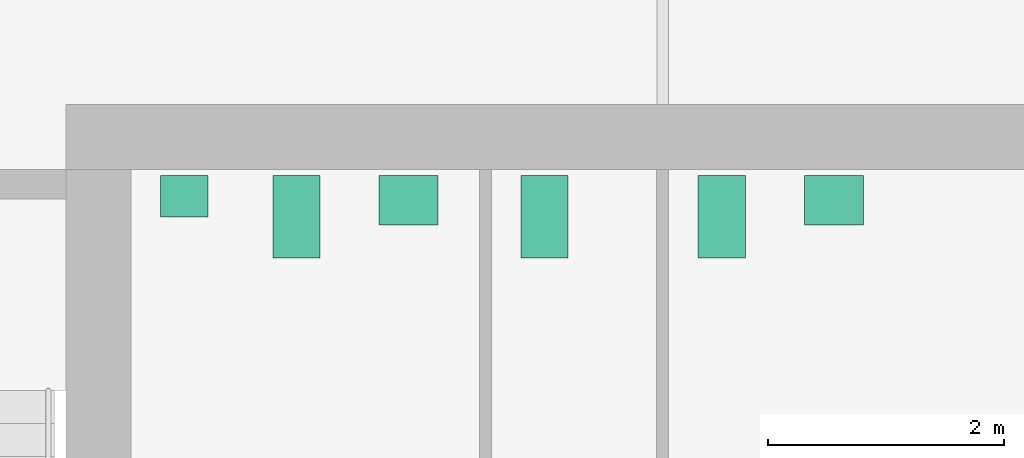
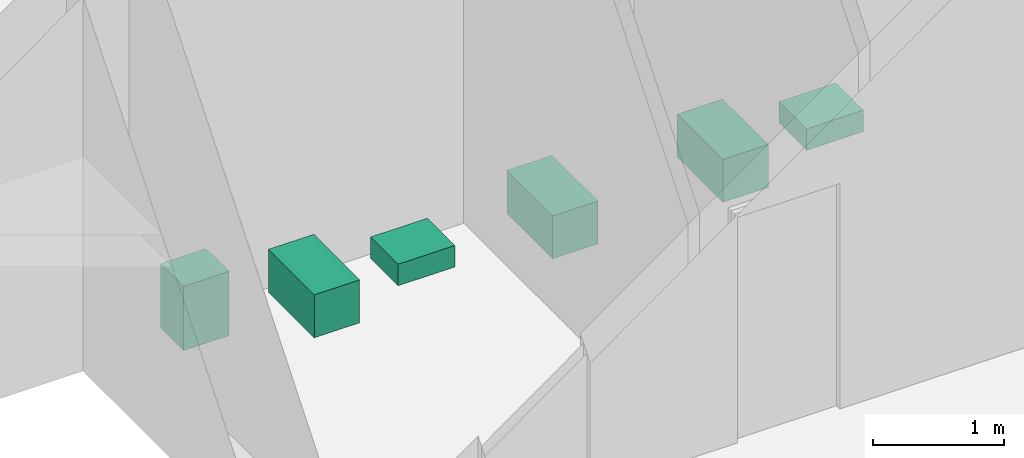
# One storey, part 8 of 8: 6 sanitary terminals.
"""IFC4 building model written with IfcOpenShell, lengths in metres."""

from ifc_helpers import new_model, si_unit, direction, frame, origin, origin_2d, place, context, subcontext, project, spatial, rectangle, extrude, material, type_object, element, save


model = new_model("IFC4")

# Units and contexts
model_context = context("Model", 3, precision=1e-05, world=origin(), true_north=direction((0.0, 1.0)))
body_context = subcontext(model_context, "Body", "Model", "MODEL_VIEW")
ifc_project = project(units=[si_unit("LENGTHUNIT", "METRE"), si_unit("AREAUNIT", "SQUARE_METRE"), si_unit("VOLUMEUNIT", "CUBIC_METRE"), si_unit("PLANEANGLEUNIT", "RADIAN"), si_unit("MASSUNIT", "GRAM", prefix="KILO")], contexts=[model_context])

# Site, building, storey
site_placement = place(None, origin())
site = spatial("IfcSite", under=ifc_project, at=site_placement, CompositionType="ELEMENT")
building_placement = place(site_placement, origin())
building = spatial("IfcBuilding", under=site, at=building_placement, Name="Cinnabar Reach Civic Tower", CompositionType="ELEMENT")
storey_placement = place(building_placement, frame((0.0, 0.0, 238.0)))
storey = spatial("IfcBuildingStorey", under=building, at=storey_placement, Name="L57", CompositionType="ELEMENT", Elevation=238.0)

# Sanitary terminals
ifc_material = material(Name="Vitreous china")
sanitary_terminal_type_1 = type_object("IfcSanitaryTerminalType", Name="T1 WC pan", PredefinedType="TOILETPAN", material=ifc_material)
for number, where, z_axis, x_axis, name in (
    (1, (5.9, 41.6, 0.0), (0.0, 0.0, 1.0), (1.0, 0.0, 0.0), "T1 WC pan 5709-2"),
    (2, (8.0, 41.6, 0.0), (0.0, 0.0, 1.0), (1.0, 0.0, 0.0), "T1 WC pan 5710-1"),
    (3, (9.5, 41.6, 0.0), (0.0, 0.0, 1.0), (1.0, 0.0, 0.0), "T1 WC pan 5711-1"),
):
    element("IfcSanitaryTerminal", number, at=place(storey_placement, frame(where, z_axis=z_axis, x_axis=x_axis)), inside=storey, type_object=sanitary_terminal_type_1, Name=name, PredefinedType="TOILETPAN", context=body_context, shape_type="SweptSolid", body=[
        extrude(rectangle(XDim=0.4, YDim=0.7, at=origin_2d()), origin(), (0.0, 0.0, 1.0), 0.4),
    ])
sanitary_terminal_type_2 = type_object("IfcSanitaryTerminalType", Name="T1 urinal", PredefinedType="URINAL", material=ifc_material)
sanitary_terminal_placement = place(storey_placement, frame((4.95, 41.775, 0.0), z_axis=(0.0, 0.0, 1.0), x_axis=(1.0, 0.0, 0.0)))
element("IfcSanitaryTerminal", 4, at=sanitary_terminal_placement, inside=storey, type_object=sanitary_terminal_type_2, Name="T1 urinal 5709-1", PredefinedType="URINAL", context=body_context, shape_type="SweptSolid", body=[
    extrude(rectangle(XDim=0.4, YDim=0.35, at=origin_2d()), origin(), (0.0, 0.0, 1.0), 0.6),
])
sanitary_terminal_type_3 = type_object("IfcSanitaryTerminalType", Name="T1 wash basin", PredefinedType="WASHHANDBASIN", material=ifc_material)
for number, where, z_axis, x_axis, name in (
    (5, (6.85, 41.74, 0.0), (0.0, 0.0, 1.0), (1.0, 0.0, 0.0), "T1 wash basin 5709-3"),
    (6, (10.45, 41.74, 0.0), (0.0, 0.0, 1.0), (1.0, 0.0, 0.0), "T1 wash basin 5711-2"),
):
    element("IfcSanitaryTerminal", number, at=place(storey_placement, frame(where, z_axis=z_axis, x_axis=x_axis)), inside=storey, type_object=sanitary_terminal_type_3, Name=name, PredefinedType="WASHHANDBASIN", context=body_context, shape_type="SweptSolid", body=[
        extrude(rectangle(XDim=0.5, YDim=0.42, at=origin_2d()), origin(), (0.0, 0.0, 1.0), 0.2),
    ])

save(model, "model.ifc")
